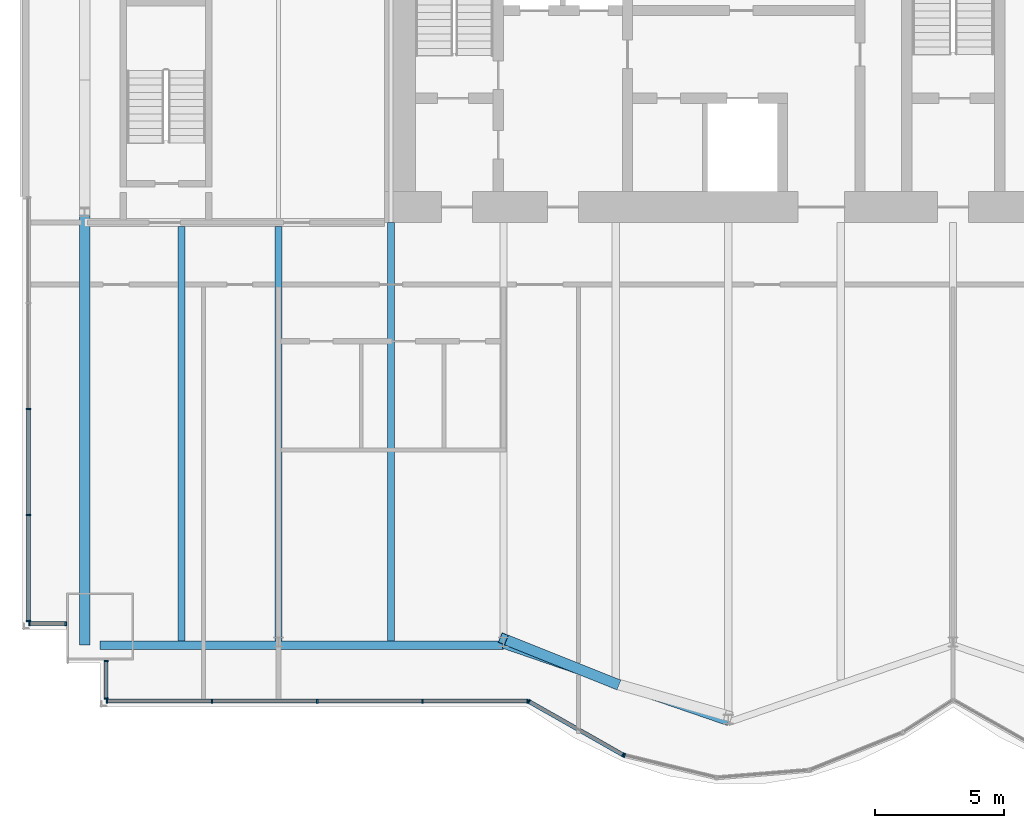
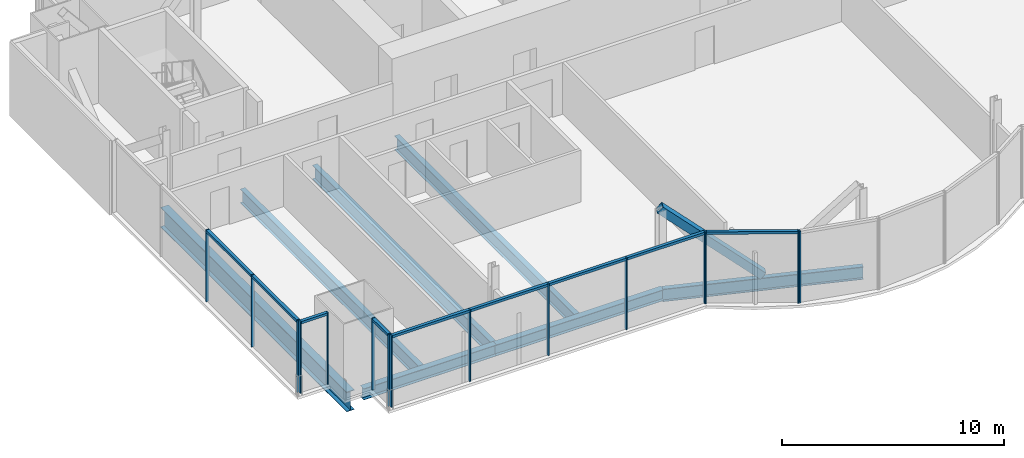
# One storey, part 5 of 20: 25 members, 7 beams, 5 elements without a shape of their own.
"""IFC4 building model written with IfcOpenShell, lengths in metres."""

from ifc_helpers import new_model, si_unit, direction, frame, origin, origin_2d, place, context, subcontext, project, spatial, rectangle, hollow_rectangle, i_section, extrude, material, material_profile, profile_set, type_object, element, aggregate, save


model = new_model("IFC4")

# Units and contexts
model_context = context("Model", 3, precision=1e-05, world=origin(), true_north=direction((0.0, 1.0)))
body_context = subcontext(model_context, "Body", "Model", "MODEL_VIEW")
ifc_project = project(units=[si_unit("LENGTHUNIT", "METRE"), si_unit("AREAUNIT", "SQUARE_METRE"), si_unit("VOLUMEUNIT", "CUBIC_METRE"), si_unit("PLANEANGLEUNIT", "RADIAN"), si_unit("MASSUNIT", "GRAM", prefix="KILO")], contexts=[model_context])

# Site, building, storey
site_placement = place(None, origin())
site = spatial("IfcSite", under=ifc_project, at=site_placement, CompositionType="ELEMENT")
building_placement = place(site_placement, origin())
building = spatial("IfcBuilding", under=site, at=building_placement, Name="Bicima Exchange Tower", CompositionType="ELEMENT")
storey_placement = place(building_placement, frame((0.0, 0.0, 215.5)))
storey = spatial("IfcBuildingStorey", under=building, at=storey_placement, Name="L48", CompositionType="ELEMENT", Elevation=215.5)

# Curtain wall, members
ifc_material_1 = material(Name="Anodised bronze aluminium", Category="aluminium")
curtain_wall_type_1 = type_object("IfcCurtainWallType", Name="End face glass wall", PredefinedType="NOTDEFINED", material=ifc_material_1)
curtain_wall_1_placement = place(storey_placement, origin())
curtain_wall_1 = element("IfcCurtainWall", 1, at=curtain_wall_1_placement, inside=storey, type_object=curtain_wall_type_1, Name="End face glass wall L48 run 2", PredefinedType="NOTDEFINED")
ifc_material_profile_1 = material_profile(ifc_material_1, rectangle(XDim=0.159912109375, YDim=0.06005859375, at=origin_2d()))
ifc_profile_set_1 = profile_set([ifc_material_profile_1], Name="Anodised bronze aluminium")
member_type_1 = type_object("IfcMemberType", Name="End face glass wall mullion 60 x 160", PredefinedType="MULLION", material=ifc_profile_set_1)
member_1_placement = place(storey_placement, frame((-35.77001953125, -20.220947265625, 0.0), z_axis=(0.0, 0.0, 1.0), x_axis=(1.0, 0.0, 0.0)))
member_1 = element("IfcMember", 2, at=member_1_placement, type_object=member_type_1, Name="End face glass wall mullion 3", PredefinedType="MULLION", context=body_context, shape_type="SweptSolid", body=[
    extrude(rectangle(XDim=0.159912109375, YDim=0.06005859375, at=origin_2d()), origin(), (0.0, 0.0, 1.0), 3.949951171875),
])
member_2_placement = place(storey_placement, frame((-35.77001953125, -24.31640625, 0.0), z_axis=(0.0, 0.0, 1.0), x_axis=(1.0, 0.0, 0.0)))
member_2 = element("IfcMember", 3, at=member_2_placement, type_object=member_type_1, Name="End face glass wall mullion 4", PredefinedType="MULLION", context=body_context, shape_type="SweptSolid", body=[
    extrude(rectangle(XDim=0.159912109375, YDim=0.06005859375, at=origin_2d()), origin(), (0.0, 0.0, 1.0), 3.949951171875),
])
member_3_placement = place(storey_placement, frame((-35.77001953125, -28.412109375, 0.0), z_axis=(0.0, 0.0, 1.0), x_axis=(1.0, 0.0, 0.0)))
member_3 = element("IfcMember", 4, at=member_3_placement, type_object=member_type_1, Name="End face glass wall mullion 5", PredefinedType="MULLION", context=body_context, shape_type="SweptSolid", body=[
    extrude(rectangle(XDim=0.159912109375, YDim=0.06005859375, at=origin_2d()), origin(), (0.0, 0.0, 1.0), 3.949951171875),
])
ifc_material_profile_2 = material_profile(ifc_material_1, rectangle(XDim=0.159912109375, YDim=0.139892578125, at=origin_2d()))
ifc_profile_set_2 = profile_set([ifc_material_profile_2], Name="Anodised bronze aluminium")
member_type_2 = type_object("IfcMemberType", Name="End face glass wall transom 140 x 160", PredefinedType="USERDEFINED", material=ifc_profile_set_2)
member_4_placement = place(storey_placement, frame((-35.77001953125, -20.2509765625, 3.8798828125), z_axis=(0.0, -1.0, 0.0), x_axis=(1.0, 0.0, 0.0)))
member_4 = element("IfcMember", 5, at=member_4_placement, type_object=member_type_2, Name="End face glass wall transom 3.1", ObjectType="TRANSOM", PredefinedType="USERDEFINED", context=body_context, shape_type="SweptSolid", body=[
    extrude(rectangle(XDim=0.159912109375, YDim=0.139892578125, at=origin_2d()), origin(), (0.0, 0.0, 1.0), 4.03564453125),
])
member_5_placement = place(storey_placement, frame((-35.77001953125, -24.346435546875, 3.8798828125), z_axis=(0.0, -1.0, 0.0), x_axis=(1.0, 0.0, 0.0)))
member_5 = element("IfcMember", 6, at=member_5_placement, type_object=member_type_2, Name="End face glass wall transom 4.1", ObjectType="TRANSOM", PredefinedType="USERDEFINED", context=body_context, shape_type="SweptSolid", body=[
    extrude(rectangle(XDim=0.159912109375, YDim=0.139892578125, at=origin_2d()), origin(), (0.0, 0.0, 1.0), 4.03564453125),
])
aggregate(curtain_wall_1, [member_1, member_2, member_3, member_4, member_5])

# Beams
ifc_material_2 = material(Name="Steel ASTM A992 Gr 50", Category="steel")
ifc_material_profile_3 = material_profile(ifc_material_2, i_section(OverallWidth=0.4013671875, OverallDepth=1.089599609375, WebThickness=0.01806640625, FlangeThickness=0.031005859375, at=origin_2d()))
ifc_profile_set_3 = profile_set([ifc_material_profile_3], Name="Steel ASTM A992 Gr 50")
beam_type_1 = type_object("IfcBeamType", Name="End girder W44x230", PredefinedType="BEAM", material=ifc_profile_set_3)
beam_1_placement = place(storey_placement, frame((-33.60009765625, -12.60009765625, -0.69482421875), z_axis=(0.0, -1.0, 0.0), x_axis=(1.0, 0.0, 0.0)))
element("IfcBeam", 7, at=beam_1_placement, inside=storey, type_object=beam_type_1, Name="End girder", PredefinedType="BEAM", context=body_context, shape_type="SweptSolid", body=[
    extrude(i_section(OverallWidth=0.4013671875, OverallDepth=1.089599609375, WebThickness=0.01806640625, FlangeThickness=0.031005859375, at=origin_2d()), origin(), (0.0, 0.0, 1.0), 16.751953125),
])
ifc_material_profile_4 = material_profile(ifc_material_2, i_section(OverallWidth=0.2666015625, OverallDepth=0.75439453125, WebThickness=0.01318359375, FlangeThickness=0.01708984375, at=origin_2d()))
ifc_profile_set_4 = profile_set([ifc_material_profile_4], Name="Steel ASTM A992 Gr 50")
beam_type_2 = type_object("IfcBeamType", Name="Floor beam W30x99", PredefinedType="JOIST", material=ifc_profile_set_4)
for number, where, z_axis, x_axis, name in (
    (8, (-29.85009765625, -13.15234375, -0.527099609375), (0.0, -1.0, 0.0), (1.0, 0.0, 0.0), "Floor beam"),
    (9, (-26.10009765625, -13.15234375, -0.527099609375), (0.0, -1.0, 0.0), (1.0, 0.0, 0.0), "Floor beam"),
):
    element("IfcBeam", number, at=place(storey_placement, frame(where, z_axis=z_axis, x_axis=x_axis)), inside=storey, type_object=beam_type_2, Name=name, PredefinedType="JOIST", context=body_context, shape_type="SweptSolid", body=[
        extrude(i_section(OverallWidth=0.2666015625, OverallDepth=0.75439453125, WebThickness=0.01318359375, FlangeThickness=0.01708984375, at=origin_2d()), origin(), (0.0, 0.0, 1.0), 16.037109375),
    ])
beam_2_placement = place(storey_placement, frame((-21.75, -13.0, -0.527099609375), z_axis=(0.0, -1.0, 0.0), x_axis=(1.0, 0.0, 0.0)))
element("IfcBeam", 10, at=beam_2_placement, inside=storey, type_object=beam_type_2, Name="Floor beam", PredefinedType="JOIST", context=body_context, shape_type="SweptSolid", body=[
    extrude(i_section(OverallWidth=0.2666015625, OverallDepth=0.75439453125, WebThickness=0.01318359375, FlangeThickness=0.01708984375, at=origin_2d()), origin(), (0.0, 0.0, 1.0), 16.189453125),
])
ifc_material_profile_5 = material_profile(ifc_material_2, i_section(OverallWidth=0.3251953125, OverallDepth=0.612060546875, WebThickness=0.0126953125, FlangeThickness=0.01904296875, at=origin_2d()))
ifc_profile_set_5 = profile_set([ifc_material_profile_5], Name="Steel ASTM A992 Gr 50")
beam_type_3 = type_object("IfcBeamType", Name="Front girder W24x104", PredefinedType="BEAM", material=ifc_profile_set_5)
beam_3_placement = place(storey_placement, frame((-33.0, -29.35205078125, -0.4560546875), z_axis=(1.0, 0.0, 0.0), x_axis=(0.0, 1.0, 0.0)))
element("IfcBeam", 11, at=beam_3_placement, inside=storey, type_object=beam_type_3, Name="Front girder", PredefinedType="BEAM", context=body_context, shape_type="SweptSolid", body=[
    extrude(i_section(OverallWidth=0.3251953125, OverallDepth=0.612060546875, WebThickness=0.0126953125, FlangeThickness=0.01904296875, at=origin_2d()), origin(), (0.0, 0.0, 1.0), 6.89990234375),
])
beam_4_placement = place(storey_placement, frame((-26.10009765625, -29.35205078125, -0.4560546875), z_axis=(1.0, 0.0, 0.0), x_axis=(0.0, 1.0, 0.0)))
element("IfcBeam", 12, at=beam_4_placement, inside=storey, type_object=beam_type_3, Name="Front girder", PredefinedType="BEAM", context=body_context, shape_type="SweptSolid", body=[
    extrude(i_section(OverallWidth=0.3251953125, OverallDepth=0.612060546875, WebThickness=0.0126953125, FlangeThickness=0.01904296875, at=origin_2d()), origin(), (0.0, 0.0, 1.0), 8.7001953125),
])
ifc_material_profile_6 = material_profile(ifc_material_2, i_section(OverallWidth=0.256591796875, OverallDepth=0.693359375, WebThickness=0.014404296875, FlangeThickness=0.023681640625, at=origin_2d()))
ifc_profile_set_6 = profile_set([ifc_material_profile_6], Name="Steel ASTM A992 Gr 50")
beam_type_4 = type_object("IfcBeamType", Name="Front girder W27x114", PredefinedType="BEAM", material=ifc_profile_set_6)
beam_5_placement = place(storey_placement, frame((-17.39990234375, -29.35205078125, -0.49658203125), z_axis=(0.945674616091, -0.32511462668, 0.0), x_axis=(0.32511462668, 0.945674616091, 0.0)))
element("IfcBeam", 13, at=beam_5_placement, inside=storey, type_object=beam_type_4, Name="Front girder", PredefinedType="BEAM", context=body_context, shape_type="SweptSolid", body=[
    extrude(i_section(OverallWidth=0.256591796875, OverallDepth=0.693359375, WebThickness=0.014404296875, FlangeThickness=0.023681640625, at=origin_2d()), origin(), (0.0, 0.0, 1.0), 9.19970703125),
])

# Curtain wall, members
curtain_wall_type_2 = type_object("IfcCurtainWallType", Name="Front glass wall", PredefinedType="NOTDEFINED", material=ifc_material_1)
curtain_wall_2_placement = place(storey_placement, origin())
curtain_wall_2 = element("IfcCurtainWall", 14, at=curtain_wall_2_placement, inside=storey, type_object=curtain_wall_type_2, Name="Front glass wall L48 run 3", PredefinedType="NOTDEFINED")
member_type_3 = type_object("IfcMemberType", Name="Front glass wall mullion 60 x 160", PredefinedType="MULLION", material=ifc_profile_set_1)
member_6_placement = place(storey_placement, frame((-35.739990234375, -28.52197265625, 0.0), z_axis=(0.0, 0.0, 1.0), x_axis=(0.0, 1.0, 0.0)))
member_6 = element("IfcMember", 15, at=member_6_placement, type_object=member_type_3, Name="Front glass wall mullion 1", PredefinedType="MULLION", context=body_context, shape_type="SweptSolid", body=[
    extrude(rectangle(XDim=0.159912109375, YDim=0.06005859375, at=origin_2d()), origin(), (0.0, 0.0, 1.0), 3.949951171875),
])
member_7_placement = place(storey_placement, frame((-34.330078125, -28.52197265625, 0.0), z_axis=(0.0, 0.0, 1.0), x_axis=(0.0, 1.0, 0.0)))
member_7 = element("IfcMember", 16, at=member_7_placement, type_object=member_type_3, Name="Front glass wall mullion 2", PredefinedType="MULLION", context=body_context, shape_type="SweptSolid", body=[
    extrude(rectangle(XDim=0.159912109375, YDim=0.06005859375, at=origin_2d()), origin(), (0.0, 0.0, 1.0), 3.949951171875),
])

curtain_wall_3_placement = place(storey_placement, origin())
curtain_wall_3 = element("IfcCurtainWall", 17, at=curtain_wall_3_placement, inside=storey, type_object=curtain_wall_type_2, Name="Front glass wall L48 run 4", PredefinedType="NOTDEFINED")
member_8_placement = place(storey_placement, frame((-32.77001953125, -29.9599609375, 0.0), z_axis=(0.0, 0.0, 1.0), x_axis=(1.0, 0.0, 0.0)))
member_8 = element("IfcMember", 18, at=member_8_placement, type_object=member_type_3, Name="Front glass wall mullion 1", PredefinedType="MULLION", context=body_context, shape_type="SweptSolid", body=[
    extrude(rectangle(XDim=0.159912109375, YDim=0.06005859375, at=origin_2d()), origin(), (0.0, 0.0, 1.0), 3.949951171875),
])
member_9_placement = place(storey_placement, frame((-32.77001953125, -31.412109375, 0.0), z_axis=(0.0, 0.0, 1.0), x_axis=(1.0, 0.0, 0.0)))
member_9 = element("IfcMember", 19, at=member_9_placement, type_object=member_type_3, Name="Front glass wall mullion 2", PredefinedType="MULLION", context=body_context, shape_type="SweptSolid", body=[
    extrude(rectangle(XDim=0.159912109375, YDim=0.06005859375, at=origin_2d()), origin(), (0.0, 0.0, 1.0), 3.949951171875),
])

curtain_wall_4_placement = place(storey_placement, origin())
curtain_wall_4 = element("IfcCurtainWall", 20, at=curtain_wall_4_placement, inside=storey, type_object=curtain_wall_type_2, Name="Front glass wall L48 run 5", PredefinedType="NOTDEFINED")
member_10_placement = place(storey_placement, frame((-32.739990234375, -31.52197265625, 0.0), z_axis=(0.0, 0.0, 1.0), x_axis=(0.0, 1.0, 0.0)))
member_10 = element("IfcMember", 21, at=member_10_placement, type_object=member_type_3, Name="Front glass wall mullion 1", PredefinedType="MULLION", context=body_context, shape_type="SweptSolid", body=[
    extrude(rectangle(XDim=0.159912109375, YDim=0.06005859375, at=origin_2d()), origin(), (0.0, 0.0, 1.0), 3.949951171875),
])
member_11_placement = place(storey_placement, frame((-28.67041015625, -31.52197265625, 0.0), z_axis=(0.0, 0.0, 1.0), x_axis=(0.0, 1.0, 0.0)))
member_11 = element("IfcMember", 22, at=member_11_placement, type_object=member_type_3, Name="Front glass wall mullion 2", PredefinedType="MULLION", context=body_context, shape_type="SweptSolid", body=[
    extrude(rectangle(XDim=0.159912109375, YDim=0.06005859375, at=origin_2d()), origin(), (0.0, 0.0, 1.0), 3.949951171875),
])
member_12_placement = place(storey_placement, frame((-24.60107421875, -31.52197265625, 0.0), z_axis=(0.0, 0.0, 1.0), x_axis=(0.0, 1.0, 0.0)))
member_12 = element("IfcMember", 23, at=member_12_placement, type_object=member_type_3, Name="Front glass wall mullion 3", PredefinedType="MULLION", context=body_context, shape_type="SweptSolid", body=[
    extrude(rectangle(XDim=0.159912109375, YDim=0.06005859375, at=origin_2d()), origin(), (0.0, 0.0, 1.0), 3.949951171875),
])
member_13_placement = place(storey_placement, frame((-20.531494140625, -31.52197265625, 0.0), z_axis=(0.0, 0.0, 1.0), x_axis=(0.0, 1.0, 0.0)))
member_13 = element("IfcMember", 24, at=member_13_placement, type_object=member_type_3, Name="Front glass wall mullion 4", PredefinedType="MULLION", context=body_context, shape_type="SweptSolid", body=[
    extrude(rectangle(XDim=0.159912109375, YDim=0.06005859375, at=origin_2d()), origin(), (0.0, 0.0, 1.0), 3.949951171875),
])
member_14_placement = place(storey_placement, frame((-16.462158203125, -31.52197265625, 0.0), z_axis=(0.0, 0.0, 1.0), x_axis=(0.0, 1.0, 0.0)))
member_14 = element("IfcMember", 25, at=member_14_placement, type_object=member_type_3, Name="Front glass wall mullion 5", PredefinedType="MULLION", context=body_context, shape_type="SweptSolid", body=[
    extrude(rectangle(XDim=0.159912109375, YDim=0.06005859375, at=origin_2d()), origin(), (0.0, 0.0, 1.0), 3.949951171875),
])

curtain_wall_5_placement = place(storey_placement, origin())
curtain_wall_5 = element("IfcCurtainWall", 26, at=curtain_wall_5_placement, inside=storey, type_object=curtain_wall_type_2, Name="Front glass wall L48 run 6", PredefinedType="NOTDEFINED")
member_15_placement = place(storey_placement, frame((-16.406005859375, -31.536865234375, 0.0), z_axis=(0.0, 0.0, 1.0), x_axis=(0.493395449343, 0.869805110681, 0.0)))
member_15 = element("IfcMember", 27, at=member_15_placement, type_object=member_type_3, Name="Front glass wall mullion 1", PredefinedType="MULLION", context=body_context, shape_type="SweptSolid", body=[
    extrude(rectangle(XDim=0.159912109375, YDim=0.06005859375, at=origin_2d()), origin(), (0.0, 0.0, 1.0), 3.949951171875),
])
member_16_placement = place(storey_placement, frame((-12.7734375, -33.597412109375, 0.0), z_axis=(0.0, 0.0, 1.0), x_axis=(0.493395449343, 0.869805110681, 0.0)))
member_16 = element("IfcMember", 28, at=member_16_placement, type_object=member_type_3, Name="Front glass wall mullion 2", PredefinedType="MULLION", context=body_context, shape_type="SweptSolid", body=[
    extrude(rectangle(XDim=0.159912109375, YDim=0.06005859375, at=origin_2d()), origin(), (0.0, 0.0, 1.0), 3.949951171875),
])
member_17_placement = place(storey_placement, frame((-12.718017578125, -33.619384765625, 0.0), z_axis=(0.0, 0.0, 1.0), x_axis=(0.235681529503, 0.971830343553, 0.0)))
member_17 = element("IfcMember", 29, at=member_17_placement, type_object=member_type_3, Name="Front glass wall mullion 1", PredefinedType="MULLION", context=body_context, shape_type="SweptSolid", body=[
    extrude(rectangle(XDim=0.159912109375, YDim=0.06005859375, at=origin_2d()), origin(), (0.0, 0.0, 1.0), 3.949951171875),
])

# Member
member_type_4 = type_object("IfcMemberType", Name="Front glass wall transom 140 x 160", PredefinedType="USERDEFINED", material=ifc_profile_set_2)
member_18_placement = place(storey_placement, frame((-35.7099609375, -28.52197265625, 3.8798828125), z_axis=(1.0, 0.0, 0.0), x_axis=(0.0, 1.0, 0.0)))
member_18 = element("IfcMember", 30, at=member_18_placement, type_object=member_type_4, Name="Front glass wall transom 1.1", ObjectType="TRANSOM", PredefinedType="USERDEFINED", context=body_context, shape_type="SweptSolid", body=[
    extrude(rectangle(XDim=0.159912109375, YDim=0.139892578125, at=origin_2d()), origin(), (0.0, 0.0, 1.0), 1.349853515625),
])

aggregate(curtain_wall_2, [member_6, member_7, member_18])

member_19_placement = place(storey_placement, frame((-32.77001953125, -29.989990234375, 3.8798828125), z_axis=(0.0, -1.0, 0.0), x_axis=(1.0, 0.0, 0.0)))
member_19 = element("IfcMember", 31, at=member_19_placement, type_object=member_type_4, Name="Front glass wall transom 1.1", ObjectType="TRANSOM", PredefinedType="USERDEFINED", context=body_context, shape_type="SweptSolid", body=[
    extrude(rectangle(XDim=0.159912109375, YDim=0.139892578125, at=origin_2d()), origin(), (0.0, 0.0, 1.0), 1.39208984375),
])

aggregate(curtain_wall_3, [member_8, member_9, member_19])

member_20_placement = place(storey_placement, frame((-32.7099609375, -31.52197265625, 3.8798828125), z_axis=(1.0, 0.0, 0.0), x_axis=(0.0, 1.0, 0.0)))
member_20 = element("IfcMember", 32, at=member_20_placement, type_object=member_type_4, Name="Front glass wall transom 1.1", ObjectType="TRANSOM", PredefinedType="USERDEFINED", context=body_context, shape_type="SweptSolid", body=[
    extrude(rectangle(XDim=0.159912109375, YDim=0.139892578125, at=origin_2d()), origin(), (0.0, 0.0, 1.0), 4.009521484375),
])

member_21_placement = place(storey_placement, frame((-28.640380859375, -31.52197265625, 3.8798828125), z_axis=(1.0, 0.0, 0.0), x_axis=(0.0, 1.0, 0.0)))
member_21 = element("IfcMember", 33, at=member_21_placement, type_object=member_type_4, Name="Front glass wall transom 2.1", ObjectType="TRANSOM", PredefinedType="USERDEFINED", context=body_context, shape_type="SweptSolid", body=[
    extrude(rectangle(XDim=0.159912109375, YDim=0.139892578125, at=origin_2d()), origin(), (0.0, 0.0, 1.0), 4.00927734375),
])

member_22_placement = place(storey_placement, frame((-24.571044921875, -31.52197265625, 3.8798828125), z_axis=(1.0, 0.0, 0.0), x_axis=(0.0, 1.0, 0.0)))
member_22 = element("IfcMember", 34, at=member_22_placement, type_object=member_type_4, Name="Front glass wall transom 3.1", ObjectType="TRANSOM", PredefinedType="USERDEFINED", context=body_context, shape_type="SweptSolid", body=[
    extrude(rectangle(XDim=0.159912109375, YDim=0.139892578125, at=origin_2d()), origin(), (0.0, 0.0, 1.0), 4.009521484375),
])

member_23_placement = place(storey_placement, frame((-20.501708984375, -31.52197265625, 3.8798828125), z_axis=(1.0, 0.0, 0.0), x_axis=(0.0, 1.0, 0.0)))
member_23 = element("IfcMember", 35, at=member_23_placement, type_object=member_type_4, Name="Front glass wall transom 4.1", ObjectType="TRANSOM", PredefinedType="USERDEFINED", context=body_context, shape_type="SweptSolid", body=[
    extrude(rectangle(XDim=0.159912109375, YDim=0.139892578125, at=origin_2d()), origin(), (0.0, 0.0, 1.0), 4.009521484375),
])

aggregate(curtain_wall_4, [member_10, member_11, member_12, member_13, member_14, member_20, member_21, member_22, member_23])

member_24_placement = place(storey_placement, frame((-16.3798828125, -31.551513671875, 3.8798828125), z_axis=(0.869797371721, -0.49340909208, 0.0), x_axis=(0.49340909208, 0.869797371721, 0.0)))
member_24 = element("IfcMember", 36, at=member_24_placement, type_object=member_type_4, Name="Front glass wall transom 1.1", ObjectType="TRANSOM", PredefinedType="USERDEFINED", context=body_context, shape_type="SweptSolid", body=[
    extrude(rectangle(XDim=0.159912109375, YDim=0.139892578125, at=origin_2d()), origin(), (0.0, 0.0, 1.0), 4.1162109375),
])

aggregate(curtain_wall_5, [member_15, member_16, member_24, member_17])

ifc_material_3 = material(Name="Steel ASTM A572 Gr 50", Category="steel")
ifc_material_profile_7 = material_profile(ifc_material_3, hollow_rectangle(XDim=0.406494140625, YDim=0.406494140625, WallThickness=0.0146484375, at=origin_2d()))
ifc_profile_set_7 = profile_set([ifc_material_profile_7], Name="Steel ASTM A572 Gr 50")
member_type_5 = type_object("IfcMemberType", Name="Mega brace HSS16x16x5/8", PredefinedType="BRACE", material=ifc_profile_set_7)
member_25_placement = place(storey_placement, frame((-13.050048828125, -30.847412109375, 0.0), z_axis=(-0.69870612412, 0.279411861388, 0.658588463179), x_axis=(-0.371309808925, -0.928509033772, 0.0)))
element("IfcMember", 37, at=member_25_placement, inside=storey, type_object=member_type_5, Name="Mega brace front", PredefinedType="BRACE", context=body_context, shape_type="SweptSolid", body=[
    extrude(hollow_rectangle(XDim=0.406494140625, YDim=0.406494140625, WallThickness=0.0146484375, at=origin_2d()), origin(), (0.0, 0.0, 1.0), 6.2255859375),
])

save(model, "model.ifc")
